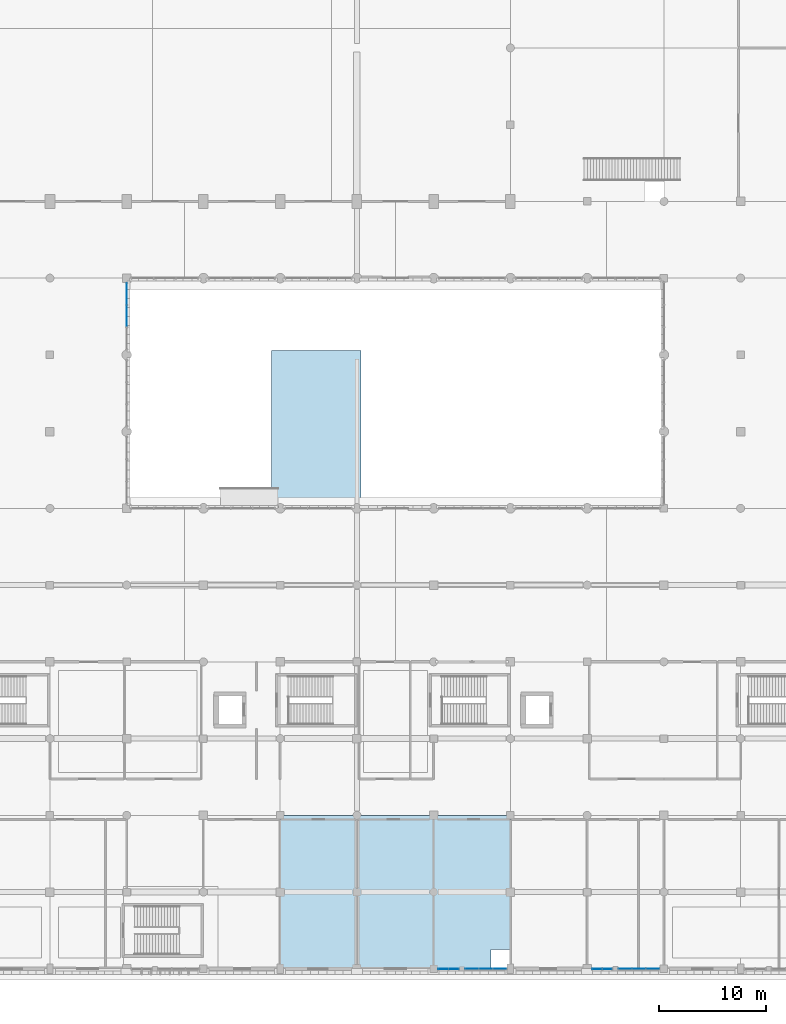
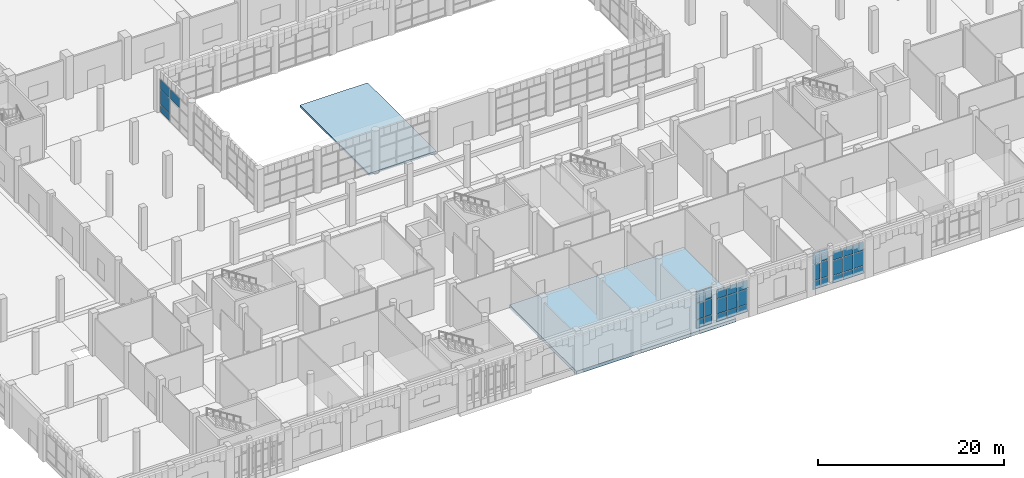
# One storey, part 39 of 85: 34 plates, 2 slabs, 5 elements without a shape of their own.
"""IFC4 building model written with IfcOpenShell, lengths in metres."""

from ifc_helpers import new_model, si_unit, direction, frame, origin, origin_2d, place, context, subcontext, project, spatial, polyline, rectangle, outline, extrude, material, layer, layer_set, type_object, element, aggregate, save


model = new_model("IFC4")

# Units and contexts
model_context = context("Model", 3, precision=1e-05, world=origin(), true_north=direction((0.0, 1.0)))
body_context = subcontext(model_context, "Body", "Model", "MODEL_VIEW")
ifc_project = project(units=[si_unit("LENGTHUNIT", "METRE"), si_unit("AREAUNIT", "SQUARE_METRE"), si_unit("VOLUMEUNIT", "CUBIC_METRE"), si_unit("PLANEANGLEUNIT", "RADIAN"), si_unit("MASSUNIT", "GRAM", prefix="KILO")], contexts=[model_context])

# Site, building, storey
site_placement = place(None, origin())
site = spatial("IfcSite", under=ifc_project, at=site_placement, CompositionType="ELEMENT")
building_placement = place(site_placement, origin())
building = spatial("IfcBuilding", under=site, at=building_placement, Name="Sardonyx Promenade Sports Hall", CompositionType="ELEMENT")
storey_placement = place(building_placement, origin())
storey = spatial("IfcBuildingStorey", under=building, at=storey_placement, Name="L00", CompositionType="ELEMENT", Elevation=0.0)

# Curtain wall, plates
ifc_material_1 = material(Name="Aluminium 6063-T6", Category="aluminium")
curtain_wall_type_1 = type_object("IfcCurtainWallType", Name="CW_South_L00_640", PredefinedType="USERDEFINED", material=ifc_material_1)
curtain_wall_1_placement = place(storey_placement, origin())
curtain_wall_1 = element("IfcCurtainWall", 1, at=curtain_wall_1_placement, inside=storey, type_object=curtain_wall_type_1, Name="Curtain wall CW11 cw:L00:009", ObjectType="CURTAIN WALL", PredefinedType="USERDEFINED")
ifc_material_2 = material(Name="Double-glazed acoustic IGU 32 mm", Category="glass")
ifc_layer_1 = layer(ifc_material_2, 0.031982421875)
ifc_layer_set_1 = layer_set([ifc_layer_1], Name="CW_Pan_Glz_32")
plate_type_1 = type_object("IfcPlateType", Name="CW_Pan_Glz_32", PredefinedType="CURTAIN_PANEL", material=ifc_layer_set_1)
plate_1_placement = place(storey_placement, frame((92.55078125, 0.0, 0.419921875), z_axis=(0.0, 0.0, 1.0), x_axis=(-1.0, 0.0, 0.0)))
plate_1 = element("IfcPlate", 2, at=plate_1_placement, type_object=plate_type_1, Name="Curtain panel CP02 cw:L00:009 #1", PredefinedType="CURTAIN_PANEL", context=body_context, shape_type="SweptSolid", body=[
    extrude(rectangle(XDim=1.21826171875, YDim=0.031982421875, at=origin_2d()), origin(), (0.0, 0.0, 1.0), 0.945068359375),
])
plate_2_placement = place(storey_placement, frame((92.55078125, 0.0, 1.43505859375), z_axis=(0.0, 0.0, 1.0), x_axis=(-1.0, 0.0, 0.0)))
plate_2 = element("IfcPlate", 3, at=plate_2_placement, type_object=plate_type_1, Name="Curtain panel CP02 cw:L00:009 #2", PredefinedType="CURTAIN_PANEL", context=body_context, shape_type="SweptSolid", body=[
    extrude(rectangle(XDim=1.21826171875, YDim=0.031982421875, at=origin_2d()), origin(), (0.0, 0.0, 1.0), 1.929931640625),
])
plate_3_placement = place(storey_placement, frame((92.55078125, 0.0, 3.43505859375), z_axis=(0.0, 0.0, 1.0), x_axis=(-1.0, 0.0, 0.0)))
plate_3 = element("IfcPlate", 4, at=plate_3_placement, type_object=plate_type_1, Name="Curtain panel CP02 cw:L00:009 #3", PredefinedType="CURTAIN_PANEL", context=body_context, shape_type="SweptSolid", body=[
    extrude(rectangle(XDim=1.21826171875, YDim=0.031982421875, at=origin_2d()), origin(), (0.0, 0.0, 1.0), 1.14501953125),
])
plate_4_placement = place(storey_placement, frame((91.262451171875, 0.0, 0.419921875), z_axis=(0.0, 0.0, 1.0), x_axis=(-1.0, 0.0, 0.0)))
plate_4 = element("IfcPlate", 5, at=plate_4_placement, type_object=plate_type_1, Name="Curtain panel CP02 cw:L00:009 #4", PredefinedType="CURTAIN_PANEL", context=body_context, shape_type="SweptSolid", body=[
    extrude(rectangle(XDim=1.21826171875, YDim=0.031982421875, at=origin_2d()), origin(), (0.0, 0.0, 1.0), 0.945068359375),
])
plate_5_placement = place(storey_placement, frame((91.262451171875, 0.0, 1.43505859375), z_axis=(0.0, 0.0, 1.0), x_axis=(-1.0, 0.0, 0.0)))
plate_5 = element("IfcPlate", 6, at=plate_5_placement, type_object=plate_type_1, Name="Curtain panel CP02 cw:L00:009 #5", PredefinedType="CURTAIN_PANEL", context=body_context, shape_type="SweptSolid", body=[
    extrude(rectangle(XDim=1.21826171875, YDim=0.031982421875, at=origin_2d()), origin(), (0.0, 0.0, 1.0), 1.929931640625),
])
plate_6_placement = place(storey_placement, frame((91.262451171875, 0.0, 3.43505859375), z_axis=(0.0, 0.0, 1.0), x_axis=(-1.0, 0.0, 0.0)))
plate_6 = element("IfcPlate", 7, at=plate_6_placement, type_object=plate_type_1, Name="Curtain panel CP02 cw:L00:009 #6", PredefinedType="CURTAIN_PANEL", context=body_context, shape_type="SweptSolid", body=[
    extrude(rectangle(XDim=1.21826171875, YDim=0.031982421875, at=origin_2d()), origin(), (0.0, 0.0, 1.0), 1.14501953125),
])
plate_7_placement = place(storey_placement, frame((89.97412109375, 0.0, 0.419921875), z_axis=(0.0, 0.0, 1.0), x_axis=(-1.0, 0.0, 0.0)))
plate_7 = element("IfcPlate", 8, at=plate_7_placement, type_object=plate_type_1, Name="Curtain panel CP02 cw:L00:009 #7", PredefinedType="CURTAIN_PANEL", context=body_context, shape_type="SweptSolid", body=[
    extrude(rectangle(XDim=1.21826171875, YDim=0.031982421875, at=origin_2d()), origin(), (0.0, 0.0, 1.0), 0.945068359375),
])
plate_8_placement = place(storey_placement, frame((89.97412109375, 0.0, 1.43505859375), z_axis=(0.0, 0.0, 1.0), x_axis=(-1.0, 0.0, 0.0)))
plate_8 = element("IfcPlate", 9, at=plate_8_placement, type_object=plate_type_1, Name="Curtain panel CP02 cw:L00:009 #8", PredefinedType="CURTAIN_PANEL", context=body_context, shape_type="SweptSolid", body=[
    extrude(rectangle(XDim=1.21826171875, YDim=0.031982421875, at=origin_2d()), origin(), (0.0, 0.0, 1.0), 1.929931640625),
])
plate_9_placement = place(storey_placement, frame((89.97412109375, 0.0, 3.43505859375), z_axis=(0.0, 0.0, 1.0), x_axis=(-1.0, 0.0, 0.0)))
plate_9 = element("IfcPlate", 10, at=plate_9_placement, type_object=plate_type_1, Name="Curtain panel CP02 cw:L00:009 #9", PredefinedType="CURTAIN_PANEL", context=body_context, shape_type="SweptSolid", body=[
    extrude(rectangle(XDim=1.21826171875, YDim=0.031982421875, at=origin_2d()), origin(), (0.0, 0.0, 1.0), 1.14501953125),
])
aggregate(curtain_wall_1, [plate_1, plate_2, plate_3, plate_4, plate_5, plate_6, plate_7, plate_8, plate_9])

curtain_wall_2_placement = place(storey_placement, origin())
curtain_wall_2 = element("IfcCurtainWall", 11, at=curtain_wall_2_placement, inside=storey, type_object=curtain_wall_type_1, Name="Curtain wall CW11 cw:L00:011", ObjectType="CURTAIN WALL", PredefinedType="USERDEFINED")
plate_10_placement = place(storey_placement, frame((78.1923828125, 0.0, 0.419921875), z_axis=(0.0, 0.0, 1.0), x_axis=(-1.0, 0.0, 0.0)))
plate_10 = element("IfcPlate", 12, at=plate_10_placement, type_object=plate_type_1, Name="Curtain panel CP02 cw:L00:011 #1", PredefinedType="CURTAIN_PANEL", context=body_context, shape_type="SweptSolid", body=[
    extrude(rectangle(XDim=1.235107421875, YDim=0.031982421875, at=origin_2d()), origin(), (0.0, 0.0, 1.0), 0.945068359375),
])
plate_11_placement = place(storey_placement, frame((78.1923828125, 0.0, 1.43505859375), z_axis=(0.0, 0.0, 1.0), x_axis=(-1.0, 0.0, 0.0)))
plate_11 = element("IfcPlate", 13, at=plate_11_placement, type_object=plate_type_1, Name="Curtain panel CP02 cw:L00:011 #2", PredefinedType="CURTAIN_PANEL", context=body_context, shape_type="SweptSolid", body=[
    extrude(rectangle(XDim=1.235107421875, YDim=0.031982421875, at=origin_2d()), origin(), (0.0, 0.0, 1.0), 1.929931640625),
])
plate_12_placement = place(storey_placement, frame((78.1923828125, 0.0, 3.43505859375), z_axis=(0.0, 0.0, 1.0), x_axis=(-1.0, 0.0, 0.0)))
plate_12 = element("IfcPlate", 14, at=plate_12_placement, type_object=plate_type_1, Name="Curtain panel CP02 cw:L00:011 #3", PredefinedType="CURTAIN_PANEL", context=body_context, shape_type="SweptSolid", body=[
    extrude(rectangle(XDim=1.235107421875, YDim=0.031982421875, at=origin_2d()), origin(), (0.0, 0.0, 1.0), 1.14501953125),
])
plate_13_placement = place(storey_placement, frame((76.887451171875, 0.0, 0.419921875), z_axis=(0.0, 0.0, 1.0), x_axis=(-1.0, 0.0, 0.0)))
plate_13 = element("IfcPlate", 15, at=plate_13_placement, type_object=plate_type_1, Name="Curtain panel CP02 cw:L00:011 #4", PredefinedType="CURTAIN_PANEL", context=body_context, shape_type="SweptSolid", body=[
    extrude(rectangle(XDim=1.235107421875, YDim=0.031982421875, at=origin_2d()), origin(), (0.0, 0.0, 1.0), 0.945068359375),
])
plate_14_placement = place(storey_placement, frame((76.887451171875, 0.0, 1.43505859375), z_axis=(0.0, 0.0, 1.0), x_axis=(-1.0, 0.0, 0.0)))
plate_14 = element("IfcPlate", 16, at=plate_14_placement, type_object=plate_type_1, Name="Curtain panel CP02 cw:L00:011 #5", PredefinedType="CURTAIN_PANEL", context=body_context, shape_type="SweptSolid", body=[
    extrude(rectangle(XDim=1.235107421875, YDim=0.031982421875, at=origin_2d()), origin(), (0.0, 0.0, 1.0), 1.929931640625),
])
plate_15_placement = place(storey_placement, frame((76.887451171875, 0.0, 3.43505859375), z_axis=(0.0, 0.0, 1.0), x_axis=(-1.0, 0.0, 0.0)))
plate_15 = element("IfcPlate", 17, at=plate_15_placement, type_object=plate_type_1, Name="Curtain panel CP02 cw:L00:011 #6", PredefinedType="CURTAIN_PANEL", context=body_context, shape_type="SweptSolid", body=[
    extrude(rectangle(XDim=1.235107421875, YDim=0.031982421875, at=origin_2d()), origin(), (0.0, 0.0, 1.0), 1.14501953125),
])
plate_16_placement = place(storey_placement, frame((75.58251953125, 0.0, 0.419921875), z_axis=(0.0, 0.0, 1.0), x_axis=(-1.0, 0.0, 0.0)))
plate_16 = element("IfcPlate", 18, at=plate_16_placement, type_object=plate_type_1, Name="Curtain panel CP02 cw:L00:011 #7", PredefinedType="CURTAIN_PANEL", context=body_context, shape_type="SweptSolid", body=[
    extrude(rectangle(XDim=1.235107421875, YDim=0.031982421875, at=origin_2d()), origin(), (0.0, 0.0, 1.0), 0.945068359375),
])
plate_17_placement = place(storey_placement, frame((75.58251953125, 0.0, 1.43505859375), z_axis=(0.0, 0.0, 1.0), x_axis=(-1.0, 0.0, 0.0)))
plate_17 = element("IfcPlate", 19, at=plate_17_placement, type_object=plate_type_1, Name="Curtain panel CP02 cw:L00:011 #8", PredefinedType="CURTAIN_PANEL", context=body_context, shape_type="SweptSolid", body=[
    extrude(rectangle(XDim=1.235107421875, YDim=0.031982421875, at=origin_2d()), origin(), (0.0, 0.0, 1.0), 1.929931640625),
])
plate_18_placement = place(storey_placement, frame((75.58251953125, 0.0, 3.43505859375), z_axis=(0.0, 0.0, 1.0), x_axis=(-1.0, 0.0, 0.0)))
plate_18 = element("IfcPlate", 20, at=plate_18_placement, type_object=plate_type_1, Name="Curtain panel CP02 cw:L00:011 #9", PredefinedType="CURTAIN_PANEL", context=body_context, shape_type="SweptSolid", body=[
    extrude(rectangle(XDim=1.235107421875, YDim=0.031982421875, at=origin_2d()), origin(), (0.0, 0.0, 1.0), 1.14501953125),
])
aggregate(curtain_wall_2, [plate_10, plate_11, plate_12, plate_13, plate_14, plate_15, plate_16, plate_17, plate_18])

ifc_material_3 = material(Name="Aluminium 6063-T6", Category="aluminium")
curtain_wall_type_2 = type_object("IfcCurtainWallType", Name="CW_Riwaq_L00_640", PredefinedType="USERDEFINED", material=ifc_material_3)
curtain_wall_3_placement = place(storey_placement, origin())
curtain_wall_3 = element("IfcCurtainWall", 21, at=curtain_wall_3_placement, inside=storey, type_object=curtain_wall_type_2, Name="Curtain wall CW17 cw:L00:124", ObjectType="CURTAIN WALL", PredefinedType="USERDEFINED")
plate_19_placement = place(storey_placement, frame((43.199951171875, 63.306640625, 0.06494140625), z_axis=(0.0, 0.0, 1.0), x_axis=(0.0, -1.0, 0.0)))
plate_19 = element("IfcPlate", 22, at=plate_19_placement, type_object=plate_type_1, Name="Curtain panel CP02 cw:L00:124 #1", PredefinedType="CURTAIN_PANEL", context=body_context, shape_type="SweptSolid", body=[
    extrude(rectangle(XDim=2.0166015625, YDim=0.031982421875, at=origin_2d()), origin(), (0.0, 0.0, 1.0), 0.902587890625),
])
plate_20_placement = place(storey_placement, frame((43.199951171875, 63.306640625, 1.032470703125), z_axis=(0.0, 0.0, 1.0), x_axis=(0.0, -1.0, 0.0)))
plate_20 = element("IfcPlate", 23, at=plate_20_placement, type_object=plate_type_1, Name="Curtain panel CP02 cw:L00:124 #2", PredefinedType="CURTAIN_PANEL", context=body_context, shape_type="SweptSolid", body=[
    extrude(rectangle(XDim=2.0166015625, YDim=0.031982421875, at=origin_2d()), origin(), (0.0, 0.0, 1.0), 1.93505859375),
])
plate_21_placement = place(storey_placement, frame((43.199951171875, 63.306640625, 3.03271484375), z_axis=(0.0, 0.0, 1.0), x_axis=(0.0, -1.0, 0.0)))
plate_21 = element("IfcPlate", 24, at=plate_21_placement, type_object=plate_type_1, Name="Curtain panel CP02 cw:L00:124 #3", PredefinedType="CURTAIN_PANEL", context=body_context, shape_type="SweptSolid", body=[
    extrude(rectangle(XDim=2.0166015625, YDim=0.031982421875, at=origin_2d()), origin(), (0.0, 0.0, 1.0), 1.302490234375),
])
plate_22_placement = place(storey_placement, frame((43.199951171875, 61.22509765625, 3.03271484375), z_axis=(0.0, 0.0, 1.0), x_axis=(0.0, -1.0, 0.0)))
plate_22 = element("IfcPlate", 25, at=plate_22_placement, type_object=plate_type_1, Name="Curtain panel CP02 cw:L00:124 #6", PredefinedType="CURTAIN_PANEL", context=body_context, shape_type="SweptSolid", body=[
    extrude(rectangle(XDim=2.0166015625, YDim=0.031982421875, at=origin_2d()), origin(), (0.0, 0.0, 1.0), 1.302490234375),
])
aggregate(curtain_wall_3, [plate_19, plate_20, plate_21, plate_22])

ifc_material_4 = material(Name="Aluminium 6063-T6", Category="aluminium")
curtain_wall_type_3 = type_object("IfcCurtainWallType", Name="CW_Foyer_Pilaster_L00", PredefinedType="USERDEFINED", material=ifc_material_4)
curtain_wall_4_placement = place(storey_placement, origin())
curtain_wall_4 = element("IfcCurtainWall", 26, at=curtain_wall_4_placement, inside=storey, type_object=curtain_wall_type_3, Name="Curtain wall CW20 cw:L00:010", ObjectType="CURTAIN WALL", PredefinedType="USERDEFINED")
ifc_material_5 = material(Name="Triple-glazed harbour solar IGU 40 mm", Category="glass")
ifc_layer_2 = layer(ifc_material_5, 0.0400390625)
ifc_layer_set_2 = layer_set([ifc_layer_2], Name="CW_Pan_Glz_40")
plate_type_2 = type_object("IfcPlateType", Name="CW_Pan_Glz_40", PredefinedType="CURTAIN_PANEL", material=ifc_layer_set_2)
plate_23_placement = place(storey_placement, frame((88.2900390625, 0.0, 0.425048828125), z_axis=(0.0, 0.0, 1.0), x_axis=(-1.0, 0.0, 0.0)))
plate_23 = element("IfcPlate", 27, at=plate_23_placement, type_object=plate_type_2, Name="Curtain panel CP04 cw:L00:010 #1", PredefinedType="CURTAIN_PANEL", context=body_context, shape_type="SweptSolid", body=[
    extrude(rectangle(XDim=0.8798828125, YDim=0.0400390625, at=origin_2d()), origin(), (0.0, 0.0, 1.0), 1.08740234375),
])
plate_24_placement = place(storey_placement, frame((88.2900390625, 0.0, 1.58740234375), z_axis=(0.0, 0.0, 1.0), x_axis=(-1.0, 0.0, 0.0)))
plate_24 = element("IfcPlate", 28, at=plate_24_placement, type_object=plate_type_2, Name="Curtain panel CP04 cw:L00:010 #2", PredefinedType="CURTAIN_PANEL", context=body_context, shape_type="SweptSolid", body=[
    extrude(rectangle(XDim=0.8798828125, YDim=0.0400390625, at=origin_2d()), origin(), (0.0, 0.0, 1.0), 2.125),
])
plate_25_placement = place(storey_placement, frame((88.2900390625, 0.0, 3.78759765625), z_axis=(0.0, 0.0, 1.0), x_axis=(-1.0, 0.0, 0.0)))
plate_25 = element("IfcPlate", 29, at=plate_25_placement, type_object=plate_type_2, Name="Curtain panel CP04 cw:L00:010 #3", PredefinedType="CURTAIN_PANEL", context=body_context, shape_type="SweptSolid", body=[
    extrude(rectangle(XDim=0.8798828125, YDim=0.0400390625, at=origin_2d()), origin(), (0.0, 0.0, 1.0), 1.4375),
])
plate_26_placement = place(storey_placement, frame((87.3349609375, 0.0, 0.425048828125), z_axis=(0.0, 0.0, 1.0), x_axis=(-1.0, 0.0, 0.0)))
plate_26 = element("IfcPlate", 30, at=plate_26_placement, type_object=plate_type_2, Name="Curtain panel CP04 cw:L00:010 #4", PredefinedType="CURTAIN_PANEL", context=body_context, shape_type="SweptSolid", body=[
    extrude(rectangle(XDim=0.8798828125, YDim=0.0400390625, at=origin_2d()), origin(), (0.0, 0.0, 1.0), 1.08740234375),
])
plate_27_placement = place(storey_placement, frame((87.3349609375, 0.0, 1.58740234375), z_axis=(0.0, 0.0, 1.0), x_axis=(-1.0, 0.0, 0.0)))
plate_27 = element("IfcPlate", 31, at=plate_27_placement, type_object=plate_type_2, Name="Curtain panel CP04 cw:L00:010 #5", PredefinedType="CURTAIN_PANEL", context=body_context, shape_type="SweptSolid", body=[
    extrude(rectangle(XDim=0.8798828125, YDim=0.0400390625, at=origin_2d()), origin(), (0.0, 0.0, 1.0), 2.125),
])
plate_28_placement = place(storey_placement, frame((87.3349609375, 0.0, 3.78759765625), z_axis=(0.0, 0.0, 1.0), x_axis=(-1.0, 0.0, 0.0)))
plate_28 = element("IfcPlate", 32, at=plate_28_placement, type_object=plate_type_2, Name="Curtain panel CP04 cw:L00:010 #6", PredefinedType="CURTAIN_PANEL", context=body_context, shape_type="SweptSolid", body=[
    extrude(rectangle(XDim=0.8798828125, YDim=0.0400390625, at=origin_2d()), origin(), (0.0, 0.0, 1.0), 1.4375),
])
aggregate(curtain_wall_4, [plate_23, plate_24, plate_25, plate_26, plate_27, plate_28])

curtain_wall_5_placement = place(storey_placement, origin())
curtain_wall_5 = element("IfcCurtainWall", 33, at=curtain_wall_5_placement, inside=storey, type_object=curtain_wall_type_3, Name="Curtain wall CW20 cw:L00:012", ObjectType="CURTAIN WALL", PredefinedType="USERDEFINED")
plate_29_placement = place(storey_placement, frame((73.87744140625, 0.0, 0.425048828125), z_axis=(0.0, 0.0, 1.0), x_axis=(-1.0, 0.0, 0.0)))
plate_29 = element("IfcPlate", 34, at=plate_29_placement, type_object=plate_type_2, Name="Curtain panel CP04 cw:L00:012 #1", PredefinedType="CURTAIN_PANEL", context=body_context, shape_type="SweptSolid", body=[
    extrude(rectangle(XDim=0.905029296875, YDim=0.0400390625, at=origin_2d()), origin(), (0.0, 0.0, 1.0), 1.08740234375),
])
plate_30_placement = place(storey_placement, frame((73.87744140625, 0.0, 1.58740234375), z_axis=(0.0, 0.0, 1.0), x_axis=(-1.0, 0.0, 0.0)))
plate_30 = element("IfcPlate", 35, at=plate_30_placement, type_object=plate_type_2, Name="Curtain panel CP04 cw:L00:012 #2", PredefinedType="CURTAIN_PANEL", context=body_context, shape_type="SweptSolid", body=[
    extrude(rectangle(XDim=0.905029296875, YDim=0.0400390625, at=origin_2d()), origin(), (0.0, 0.0, 1.0), 2.125),
])
plate_31_placement = place(storey_placement, frame((73.87744140625, 0.0, 3.78759765625), z_axis=(0.0, 0.0, 1.0), x_axis=(-1.0, 0.0, 0.0)))
plate_31 = element("IfcPlate", 36, at=plate_31_placement, type_object=plate_type_2, Name="Curtain panel CP04 cw:L00:012 #3", PredefinedType="CURTAIN_PANEL", context=body_context, shape_type="SweptSolid", body=[
    extrude(rectangle(XDim=0.905029296875, YDim=0.0400390625, at=origin_2d()), origin(), (0.0, 0.0, 1.0), 1.4375),
])
plate_32_placement = place(storey_placement, frame((72.8974609375, 0.0, 0.425048828125), z_axis=(0.0, 0.0, 1.0), x_axis=(-1.0, 0.0, 0.0)))
plate_32 = element("IfcPlate", 37, at=plate_32_placement, type_object=plate_type_2, Name="Curtain panel CP04 cw:L00:012 #4", PredefinedType="CURTAIN_PANEL", context=body_context, shape_type="SweptSolid", body=[
    extrude(rectangle(XDim=0.905029296875, YDim=0.0400390625, at=origin_2d()), origin(), (0.0, 0.0, 1.0), 1.08740234375),
])
plate_33_placement = place(storey_placement, frame((72.8974609375, 0.0, 1.58740234375), z_axis=(0.0, 0.0, 1.0), x_axis=(-1.0, 0.0, 0.0)))
plate_33 = element("IfcPlate", 38, at=plate_33_placement, type_object=plate_type_2, Name="Curtain panel CP04 cw:L00:012 #5", PredefinedType="CURTAIN_PANEL", context=body_context, shape_type="SweptSolid", body=[
    extrude(rectangle(XDim=0.905029296875, YDim=0.0400390625, at=origin_2d()), origin(), (0.0, 0.0, 1.0), 2.125),
])
plate_34_placement = place(storey_placement, frame((72.8974609375, 0.0, 3.78759765625), z_axis=(0.0, 0.0, 1.0), x_axis=(-1.0, 0.0, 0.0)))
plate_34 = element("IfcPlate", 39, at=plate_34_placement, type_object=plate_type_2, Name="Curtain panel CP04 cw:L00:012 #6", PredefinedType="CURTAIN_PANEL", context=body_context, shape_type="SweptSolid", body=[
    extrude(rectangle(XDim=0.905029296875, YDim=0.0400390625, at=origin_2d()), origin(), (0.0, 0.0, 1.0), 1.4375),
])
aggregate(curtain_wall_5, [plate_29, plate_30, plate_31, plate_32, plate_33, plate_34])

# Slabs
ifc_material_6 = material(Name="Concrete C40/50", Category="concrete")
ifc_layer_3 = layer(ifc_material_6, 0.419921875)
ifc_layer_set_3 = layer_set([ifc_layer_3], Name="Slab_Base_L00_350")
slab_type_1 = type_object("IfcSlabType", Name="Slab_Base_L00_350", PredefinedType="BASESLAB", material=ifc_layer_set_3)
slab_1_placement = place(storey_placement, frame((0.0, 0.0, -0.419921875)))
element("IfcSlab", 40, at=slab_1_placement, inside=storey, type_object=slab_type_1, Name="Slab BS02 L00 #59", PredefinedType="BASESLAB", context=body_context, shape_type="SweptSolid", body=[
    extrude(outline(polyline([(57.60009765625, 0.0), (77.39990234375, 0.0), (77.39990234375, 1.800048828125), (79.199951171875, 1.800048828125), (79.199951171875, 14.39990234375), (57.60009765625, 14.39990234375), (57.60009765625, 0.0)])), origin(), (0.0, 0.0, 1.0), 0.419921875),
])
ifc_material_7 = material(Name="Concrete C40/50", Category="concrete")
ifc_layer_4 = layer(ifc_material_7, 0.25)
ifc_layer_set_4 = layer_set([ifc_layer_4], Name="Slab_Ext_Apron_180")
slab_type_2 = type_object("IfcSlabType", Name="Slab_Ext_Apron_180", PredefinedType="FLOOR", material=ifc_layer_set_4)
slab_2_placement = place(storey_placement, frame((0.0, 0.0, -0.25)))
element("IfcSlab", 41, at=slab_2_placement, inside=storey, type_object=slab_type_2, Name="Charbagh garden terrace apron L00", PredefinedType="FLOOR", context=body_context, shape_type="SweptSolid", body=[
    extrude(outline(polyline([(56.800048828125, 43.199951171875), (65.199951171875, 43.199951171875), (65.199951171875, 58.0), (56.800048828125, 58.0), (56.800048828125, 43.199951171875)])), origin(), (0.0, 0.0, 1.0), 0.25),
])

save(model, "model.ifc")
